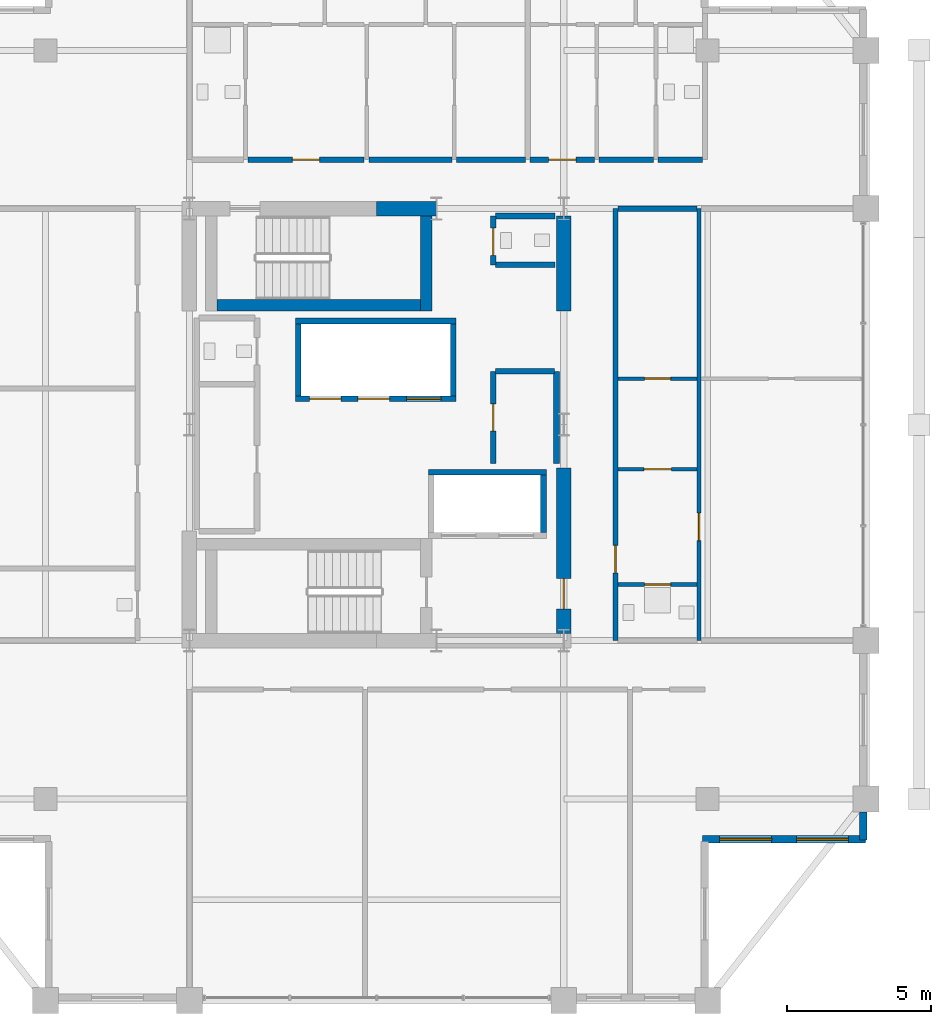
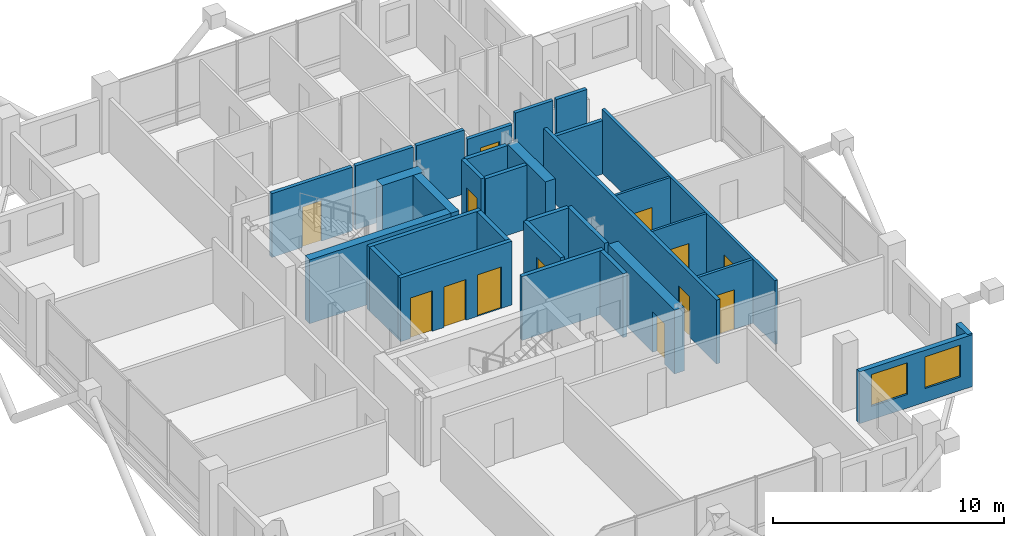
# One storey, part 19 of 23: 31 walls, 13 doors, 2 windows, 15 openings.
"""IFC4 building model written with IfcOpenShell, lengths in metres."""

from ifc_helpers import new_model, si_unit, direction, frame, frame_2d, origin, place, context, subcontext, project, spatial, rectangle, extrude, material, layer, layer_set, type_object, element, fill, save


model = new_model("IFC4")

# Units and contexts
model_context = context("Model", 3, precision=1e-05, world=origin(), true_north=direction((0.0, 1.0)))
body_context = subcontext(model_context, "Body", "Model", "MODEL_VIEW")
ifc_project = project(units=[si_unit("LENGTHUNIT", "METRE"), si_unit("AREAUNIT", "SQUARE_METRE"), si_unit("VOLUMEUNIT", "CUBIC_METRE"), si_unit("PLANEANGLEUNIT", "RADIAN"), si_unit("MASSUNIT", "GRAM", prefix="KILO")], contexts=[model_context])

# Site, building, storey
site_placement = place(None, origin())
site = spatial("IfcSite", under=ifc_project, at=site_placement, CompositionType="ELEMENT")
building_placement = place(site_placement, origin())
building = spatial("IfcBuilding", under=site, at=building_placement, Name="Barlavira Tower and Art Museum", CompositionType="ELEMENT")
storey_placement = place(building_placement, frame((0.0, 0.0, 279.89990234375)))
storey = spatial("IfcBuildingStorey", under=building, at=storey_placement, Name="L73", CompositionType="ELEMENT", Elevation=279.89990234375)

# Wall, opening, door
ifc_material_1 = material(Name="Gypsum acoustic stud partition", Category="gypsum")
ifc_layer_1 = layer(ifc_material_1, 0.1201171875, Name="Gypsum acoustic stud partition")
ifc_layer_set_1 = layer_set([ifc_layer_1], Name="Gypsum acoustic stud partition")
wall_type_1 = type_object("IfcWallType", Name="Apartment Internal Acoustic Partition 120", PredefinedType="PARTITIONING", material=ifc_layer_set_1)
wall_1_placement = place(storey_placement, frame((8.3798828125, -1.550048828125, 0.0), z_axis=(0.0, 0.0, 1.0), x_axis=(1.0, 0.0, 0.0)))
wall_1 = element("IfcWall", 1, at=wall_1_placement, inside=storey, type_object=wall_type_1, Name="L73 Partition Wall 32", PredefinedType="PARTITIONING", context=body_context, shape_type="SweptSolid", body=[
    extrude(rectangle(XDim=2.740234375, YDim=0.1201171875, at=frame_2d((1.3701171875, 0.0))), origin(), (0.0, 0.0, 1.0), 3.380126953125),
])
opening_1_placement = place(wall_1_placement, frame((0.905029296875, 0.0, 0.0)))
opening_1 = element("IfcOpeningElement", 2, at=opening_1_placement, cuts=wall_1, Name="Opening D-02", PredefinedType="OPENING", context=body_context, shape_type="SweptSolid", body=[
    extrude(rectangle(XDim=0.949951171875, YDim=2.10009765625, at=frame_2d((0.47509765625, 1.050048828125))), frame((0.0, 0.070068359375, 0.0), z_axis=(0.0, -1.0, 0.0), x_axis=(1.0, 0.0, 0.0)), (0.0, 0.0, 1.0), 0.14013671875),
])
ifc_material_2 = material(Name="Engineered coastal hardwood", Category="wood")
door_type_1 = type_object("IfcDoorType", Name="Living and Salon Glazed-Leaf Door 950x2100", OperationType="NOTDEFINED", PredefinedType="DOOR", material=ifc_material_2)
door_1_placement = place(opening_1_placement, origin())
door_1 = element("IfcDoor", 3, at=door_1_placement, inside=storey, type_object=door_type_1, Name="Apartment E1 Kitchen Door", OperationType="SINGLE_SWING_RIGHT", OverallHeight=2.10009765625, OverallWidth=0.949951171875, PredefinedType="DOOR", context=body_context, shape_type="SweptSolid", body=[
    extrude(rectangle(XDim=0.949951171875, YDim=2.10009765625, at=frame_2d((0.47509765625, 1.050048828125))), frame((0.0, 0.02490234375, 0.0), z_axis=(0.0, -1.0, 0.0), x_axis=(1.0, 0.0, 0.0)), (0.0, 0.0, 1.0), 0.050048828125),
])
fill(opening_1, door_1)

wall_2_placement = place(storey_placement, frame((8.3798828125, 1.60009765625, 0.0), z_axis=(0.0, 0.0, 1.0), x_axis=(1.0, 0.0, 0.0)))
wall_2 = element("IfcWall", 4, at=wall_2_placement, inside=storey, type_object=wall_type_1, Name="L73 Partition Wall 35", PredefinedType="PARTITIONING", context=body_context, shape_type="SweptSolid", body=[
    extrude(rectangle(XDim=2.740234375, YDim=0.1201171875, at=frame_2d((1.3701171875, 0.0))), origin(), (0.0, 0.0, 1.0), 3.380126953125),
])
opening_2_placement = place(wall_2_placement, frame((0.929931640625, 0.0, 0.0)))
opening_2 = element("IfcOpeningElement", 5, at=opening_2_placement, cuts=wall_2, Name="Opening D-01", PredefinedType="OPENING", context=body_context, shape_type="SweptSolid", body=[
    extrude(rectangle(XDim=0.89990234375, YDim=2.10009765625, at=frame_2d((0.449951171875, 1.050048828125))), frame((0.0, 0.070068359375, 0.0), z_axis=(0.0, -1.0, 0.0), x_axis=(1.0, 0.0, 0.0)), (0.0, 0.0, 1.0), 0.14013671875),
])
door_type_2 = type_object("IfcDoorType", Name="Internal Bedroom Timber Flush Door 900x2100", OperationType="NOTDEFINED", PredefinedType="DOOR", material=ifc_material_2)
door_2_placement = place(opening_2_placement, origin())
door_2 = element("IfcDoor", 6, at=door_2_placement, inside=storey, type_object=door_type_2, Name="Apartment E1 Walk-In Dressing Room Door", OperationType="SINGLE_SWING_LEFT", OverallHeight=2.10009765625, OverallWidth=0.89990234375, PredefinedType="DOOR", context=body_context, shape_type="SweptSolid", body=[
    extrude(rectangle(XDim=0.89990234375, YDim=2.10009765625, at=frame_2d((0.449951171875, 1.050048828125))), frame((0.0, 0.02490234375, 0.0), z_axis=(0.0, -1.0, 0.0), x_axis=(1.0, 0.0, 0.0)), (0.0, 0.0, 1.0), 0.050048828125),
])
fill(opening_2, door_2)

# Wall
ifc_material_3 = material(Name="Concrete C60", Category="concrete")
ifc_layer_2 = layer(ifc_material_3, 0.5, Name="Concrete C60")
ifc_layer_set_2 = layer_set([ifc_layer_2], Name="Concrete C60")
wall_type_2 = type_object("IfcWallType", Name="Core Structural Shear Wall 500 Concrete C60", PredefinedType="SHEAR", material=ifc_layer_set_2)
wall_3_placement = place(storey_placement, frame((0.0, 7.5, 0.0), z_axis=(0.0, 0.0, 1.0), x_axis=(1.0, 0.0, 0.0)))
element("IfcWall", 7, at=wall_3_placement, inside=storey, type_object=wall_type_2, Name="L73 Core Shear Wall CS-EN", PredefinedType="SHEAR", context=body_context, shape_type="SweptSolid", body=[
    extrude(rectangle(XDim=2.080078125, YDim=0.5, at=frame_2d((1.0400390625, 0.0))), origin(), (0.0, 0.0, 1.0), 3.380126953125),
])

# Wall, opening, door
wall_4_placement = place(storey_placement, frame((6.5, -7.25, 0.0), z_axis=(0.0, 0.0, 1.0), x_axis=(0.0, 1.0, 0.0)))
wall_4 = element("IfcWall", 8, at=wall_4_placement, inside=storey, type_object=wall_type_2, Name="L73 Core Shear Wall CS-E1", PredefinedType="SHEAR", context=body_context, shape_type="SweptSolid", body=[
    extrude(rectangle(XDim=5.75, YDim=0.5, at=frame_2d((2.875, 0.0))), origin(), (0.0, 0.0, 1.0), 3.380126953125),
])
opening_3_placement = place(wall_4_placement, frame((0.85009765625, 0.0, 0.0)))
opening_3 = element("IfcOpeningElement", 9, at=opening_3_placement, cuts=wall_4, Name="Opening FD-90", PredefinedType="OPENING", context=body_context, shape_type="SweptSolid", body=[
    extrude(rectangle(XDim=1.050048828125, YDim=2.14990234375, at=frame_2d((0.52490234375, 1.074951171875))), frame((0.0, 0.260009765625, 0.0), z_axis=(0.0, -1.0, 0.0), x_axis=(1.0, 0.0, 0.0)), (0.0, 0.0, 1.0), 0.52001953125),
])
ifc_material_4 = material(Name="Brushed stainless steel", Category="steel")
door_type_3 = type_object("IfcDoorType", Name="Stair and Refuge Fire Door 1050x2150 FD90S", OperationType="NOTDEFINED", PredefinedType="DOOR", material=ifc_material_4)
door_3_placement = place(opening_3_placement, origin())
door_3 = element("IfcDoor", 10, at=door_3_placement, inside=storey, type_object=door_type_3, Name="L73 Firefighting Lobby Entry Fire Door", OperationType="SINGLE_SWING_LEFT", OverallHeight=2.14990234375, OverallWidth=1.050048828125, PredefinedType="DOOR", context=body_context, shape_type="SweptSolid", body=[
    extrude(rectangle(XDim=1.050048828125, YDim=2.14990234375, at=frame_2d((0.52490234375, 1.074951171875))), frame((0.0, 0.02490234375, 0.0), z_axis=(0.0, -1.0, 0.0), x_axis=(1.0, 0.0, 0.0)), (0.0, 0.0, 1.0), 0.050048828125),
])
fill(opening_3, door_3)

# Wall
wall_5_placement = place(storey_placement, frame((6.5, 3.949951171875, 0.0), z_axis=(0.0, 0.0, 1.0), x_axis=(0.0, 1.0, 0.0)))
element("IfcWall", 11, at=wall_5_placement, inside=storey, type_object=wall_type_2, Name="L73 Core Shear Wall CS-E2", PredefinedType="SHEAR", context=body_context, shape_type="SweptSolid", body=[
    extrude(rectangle(XDim=3.300048828125, YDim=0.5, at=frame_2d((1.64990234375, 0.0))), origin(), (0.0, 0.0, 1.0), 3.380126953125),
])

# Wall, openings, doors
ifc_material_5 = material(Name="Autoclaved aerated concrete masonry", Category="masonry")
ifc_layer_3 = layer(ifc_material_5, 0.199951171875, Name="Autoclaved aerated concrete masonry")
ifc_layer_set_3 = layer_set([ifc_layer_3], Name="Autoclaved aerated concrete masonry")
wall_type_3 = type_object("IfcWallType", Name="Fire Compartment and Shaft Wall 200", PredefinedType="SOLIDWALL", material=ifc_layer_set_3)
wall_6_placement = place(storey_placement, frame((-2.820068359375, 0.89990234375, 0.0), z_axis=(0.0, 0.0, 1.0), x_axis=(1.0, 0.0, 0.0)))
wall_6 = element("IfcWall", 12, at=wall_6_placement, inside=storey, type_object=wall_type_3, Name="L73 High-Rise & Service Lift Front Wall", PredefinedType="SOLIDWALL", context=body_context, shape_type="SweptSolid", body=[
    extrude(rectangle(XDim=5.580078125, YDim=0.199951171875, at=frame_2d((2.7900390625, 0.0))), origin(), (0.0, 0.0, 1.0), 3.380126953125),
])
opening_4_placement = place(wall_6_placement, frame((0.489990234375, 0.0, 0.0)))
opening_4 = element("IfcOpeningElement", 13, at=opening_4_placement, cuts=wall_6, Name="Opening LD-P", PredefinedType="OPENING", context=body_context, shape_type="SweptSolid", body=[
    extrude(rectangle(XDim=1.10009765625, YDim=2.14990234375, at=frame_2d((0.550048828125, 1.074951171875))), frame((0.0, 0.10986328125, 0.0), z_axis=(0.0, -1.0, 0.0), x_axis=(1.0, 0.0, 0.0)), (0.0, 0.0, 1.0), 0.219970703125),
])
opening_5_placement = place(wall_6_placement, frame((2.169921875, 0.0, 0.0)))
opening_5 = element("IfcOpeningElement", 14, at=opening_5_placement, cuts=wall_6, Name="Opening LD-P", PredefinedType="OPENING", context=body_context, shape_type="SweptSolid", body=[
    extrude(rectangle(XDim=1.10009765625, YDim=2.14990234375, at=frame_2d((0.550048828125, 1.074951171875))), frame((0.0, 0.10986328125, 0.0), z_axis=(0.0, -1.0, 0.0), x_axis=(1.0, 0.0, 0.0)), (0.0, 0.0, 1.0), 0.219970703125),
])
opening_6_placement = place(wall_6_placement, frame((3.860107421875, 0.0, 0.0)))
opening_6 = element("IfcOpeningElement", 15, at=opening_6_placement, cuts=wall_6, Name="Opening LD-F", PredefinedType="OPENING", context=body_context, shape_type="SweptSolid", body=[
    extrude(rectangle(XDim=1.199951171875, YDim=2.199951171875, at=frame_2d((0.60009765625, 1.10009765625))), frame((0.0, 0.10986328125, 0.0), z_axis=(0.0, -1.0, 0.0), x_axis=(1.0, 0.0, 0.0)), (0.0, 0.0, 1.0), 0.219970703125),
])
door_type_4 = type_object("IfcDoorType", Name="Firefighting and Service Lift Sliding Door 1200x2200 FD120", OperationType="NOTDEFINED", PredefinedType="DOOR", material=ifc_material_4)
door_4_placement = place(opening_6_placement, origin())
door_4 = element("IfcDoor", 16, at=door_4_placement, inside=storey, type_object=door_type_4, Name="L73 Stretcher Service Lift SL1 Sliding Door", OperationType="DOUBLE_DOOR_SLIDING", OverallHeight=2.199951171875, OverallWidth=1.199951171875, PredefinedType="DOOR", context=body_context, shape_type="SweptSolid", body=[
    extrude(rectangle(XDim=1.199951171875, YDim=2.199951171875, at=frame_2d((0.60009765625, 1.10009765625))), frame((0.0, 0.02490234375, 0.0), z_axis=(0.0, -1.0, 0.0), x_axis=(1.0, 0.0, 0.0)), (0.0, 0.0, 1.0), 0.050048828125),
])
fill(opening_6, door_4)
door_type_5 = type_object("IfcDoorType", Name="Passenger Lift Sliding Landing Door 1100x2150 FD60", OperationType="NOTDEFINED", PredefinedType="DOOR", material=ifc_material_4)
door_5_placement = place(opening_4_placement, origin())
door_5 = element("IfcDoor", 17, at=door_5_placement, inside=storey, type_object=door_type_5, Name="L73 Lift PH1 Sliding Landing Door", OperationType="DOUBLE_DOOR_SLIDING", OverallHeight=2.14990234375, OverallWidth=1.10009765625, PredefinedType="DOOR", context=body_context, shape_type="SweptSolid", body=[
    extrude(rectangle(XDim=1.10009765625, YDim=2.14990234375, at=frame_2d((0.550048828125, 1.074951171875))), frame((0.0, 0.02490234375, 0.0), z_axis=(0.0, -1.0, 0.0), x_axis=(1.0, 0.0, 0.0)), (0.0, 0.0, 1.0), 0.050048828125),
])
fill(opening_4, door_5)
door_6_placement = place(opening_5_placement, origin())
door_6 = element("IfcDoor", 18, at=door_6_placement, inside=storey, type_object=door_type_5, Name="L73 Lift PH2 Sliding Landing Door", OperationType="DOUBLE_DOOR_SLIDING", OverallHeight=2.14990234375, OverallWidth=1.10009765625, PredefinedType="DOOR", context=body_context, shape_type="SweptSolid", body=[
    extrude(rectangle(XDim=1.10009765625, YDim=2.14990234375, at=frame_2d((0.550048828125, 1.074951171875))), frame((0.0, 0.02490234375, 0.0), z_axis=(0.0, -1.0, 0.0), x_axis=(1.0, 0.0, 0.0)), (0.0, 0.0, 1.0), 0.050048828125),
])
fill(opening_5, door_6)

# Walls
wall_7_placement = place(storey_placement, frame((-2.820068359375, 3.60009765625, 0.0), z_axis=(0.0, 0.0, 1.0), x_axis=(1.0, 0.0, 0.0)))
element("IfcWall", 19, at=wall_7_placement, inside=storey, type_object=wall_type_3, Name="L73 High-Rise & Service Lift Back Wall", PredefinedType="SOLIDWALL", context=body_context, shape_type="SweptSolid", body=[
    extrude(rectangle(XDim=5.580078125, YDim=0.199951171875, at=frame_2d((2.7900390625, 0.0))), origin(), (0.0, 0.0, 1.0), 3.380126953125),
])
for number, where, z_axis, x_axis, name in (
    (20, (-2.719970703125, 1.0, 0.0), (0.0, 0.0, 1.0), (0.0, 1.0, 0.0), "L73 High-Rise & Service Lift West Wall"),
    (21, (2.659912109375, 1.0, 0.0), (0.0, 0.0, 1.0), (0.0, 1.0, 0.0), "L73 High-Rise & Service Lift East Wall"),
):
    element("IfcWall", number, at=place(storey_placement, frame(where, z_axis=z_axis, x_axis=x_axis)), inside=storey, type_object=wall_type_3, Name=name, PredefinedType="SOLIDWALL", context=body_context, shape_type="SweptSolid", body=[
        extrude(rectangle(XDim=2.5, YDim=0.199951171875, at=frame_2d((1.25, 0.0))), origin(), (0.0, 0.0, 1.0), 3.380126953125),
    ])
wall_8_placement = place(storey_placement, frame((1.800048828125, -1.64990234375, 0.0), z_axis=(0.0, 0.0, 1.0), x_axis=(1.0, 0.0, 0.0)))
element("IfcWall", 22, at=wall_8_placement, inside=storey, type_object=wall_type_3, Name="L73 Firefighting Lift Back Shaft Wall", PredefinedType="SOLIDWALL", context=body_context, shape_type="SweptSolid", body=[
    extrude(rectangle(XDim=4.099853515625, YDim=0.199951171875, at=frame_2d((2.0498046875, 0.0))), origin(), (0.0, 0.0, 1.0), 3.380126953125),
])
wall_9_placement = place(storey_placement, frame((5.800048828125, -3.75, 0.0), z_axis=(0.0, 0.0, 1.0), x_axis=(0.0, 1.0, 0.0)))
element("IfcWall", 23, at=wall_9_placement, inside=storey, type_object=wall_type_3, Name="L73 Firefighting Lift East Shaft Wall", PredefinedType="SOLIDWALL", context=body_context, shape_type="SweptSolid", body=[
    extrude(rectangle(XDim=2.0, YDim=0.199951171875, at=frame_2d((1.0, 0.0))), origin(), (0.0, 0.0, 1.0), 3.380126953125),
])

# Wall, opening, door
wall_10_placement = place(storey_placement, frame((4.050048828125, -1.35009765625, 0.0), z_axis=(0.0, 0.0, 1.0), x_axis=(0.0, 1.0, 0.0)))
wall_10 = element("IfcWall", 24, at=wall_10_placement, inside=storey, type_object=wall_type_3, Name="L73 Partition Wall 12", PredefinedType="SOLIDWALL", context=body_context, shape_type="SweptSolid", body=[
    extrude(rectangle(XDim=3.2001953125, YDim=0.199951171875, at=frame_2d((1.60009765625, 0.0))), origin(), (0.0, 0.0, 1.0), 3.380126953125),
])
opening_7_placement = place(wall_10_placement, frame((1.125, 0.0, 0.0)))
opening_7 = element("IfcOpeningElement", 25, at=opening_7_placement, cuts=wall_10, Name="Opening FD-60", PredefinedType="OPENING", context=body_context, shape_type="SweptSolid", body=[
    extrude(rectangle(XDim=0.949951171875, YDim=2.14990234375, at=frame_2d((0.47509765625, 1.074951171875))), frame((0.0, 0.10986328125, 0.0), z_axis=(0.0, -1.0, 0.0), x_axis=(1.0, 0.0, 0.0)), (0.0, 0.0, 1.0), 0.219970703125),
])
door_type_6 = type_object("IfcDoorType", Name="Apartment Entrance and Riser Fire Door 950x2150 FD60S", OperationType="NOTDEFINED", PredefinedType="DOOR", material=ifc_material_4)
door_7_placement = place(opening_7_placement, origin())
door_7 = element("IfcDoor", 26, at=door_7_placement, inside=storey, type_object=door_type_6, Name="Reclaimed Upper Core Valet Store Door", OperationType="SINGLE_SWING_RIGHT", OverallHeight=2.14990234375, OverallWidth=0.949951171875, PredefinedType="DOOR", context=body_context, shape_type="SweptSolid", body=[
    extrude(rectangle(XDim=0.949951171875, YDim=2.14990234375, at=frame_2d((0.47509765625, 1.074951171875))), frame((0.0, 0.02490234375, 0.0), z_axis=(0.0, -1.0, 0.0), x_axis=(1.0, 0.0, 0.0)), (0.0, 0.0, 1.0), 0.050048828125),
])
fill(opening_7, door_7)

wall_11_placement = place(storey_placement, frame((4.050048828125, 5.550048828125, 0.0), z_axis=(0.0, 0.0, 1.0), x_axis=(0.0, 1.0, 0.0)))
wall_11 = element("IfcWall", 27, at=wall_11_placement, inside=storey, type_object=wall_type_3, Name="L73 Partition Wall 13", PredefinedType="SOLIDWALL", context=body_context, shape_type="SweptSolid", body=[
    extrude(rectangle(XDim=1.699951171875, YDim=0.199951171875, at=frame_2d((0.85009765625, 0.0))), origin(), (0.0, 0.0, 1.0), 3.380126953125),
])
opening_8_placement = place(wall_11_placement, frame((0.324951171875, 0.0, 0.0)))
opening_8 = element("IfcOpeningElement", 28, at=opening_8_placement, cuts=wall_11, Name="Opening FD-60", PredefinedType="OPENING", context=body_context, shape_type="SweptSolid", body=[
    extrude(rectangle(XDim=0.949951171875, YDim=2.14990234375, at=frame_2d((0.47509765625, 1.074951171875))), frame((0.0, 0.10986328125, 0.0), z_axis=(0.0, -1.0, 0.0), x_axis=(1.0, 0.0, 0.0)), (0.0, 0.0, 1.0), 0.219970703125),
])
door_8_placement = place(opening_8_placement, origin())
door_8 = element("IfcDoor", 29, at=door_8_placement, inside=storey, type_object=door_type_6, Name="Core Accessible Washroom Door", OperationType="SINGLE_SWING_LEFT", OverallHeight=2.14990234375, OverallWidth=0.949951171875, PredefinedType="DOOR", context=body_context, shape_type="SweptSolid", body=[
    extrude(rectangle(XDim=0.949951171875, YDim=2.14990234375, at=frame_2d((0.47509765625, 1.074951171875))), frame((0.0, 0.02490234375, 0.0), z_axis=(0.0, -1.0, 0.0), x_axis=(1.0, 0.0, 0.0)), (0.0, 0.0, 1.0), 0.050048828125),
])
fill(opening_8, door_8)

# Walls
wall_12_placement = place(storey_placement, frame((6.25, -1.35009765625, 0.0), z_axis=(0.0, 0.0, 1.0), x_axis=(0.0, 1.0, 0.0)))
element("IfcWall", 30, at=wall_12_placement, inside=storey, type_object=wall_type_3, Name="L73 Partition Wall 15", PredefinedType="SOLIDWALL", context=body_context, shape_type="SweptSolid", body=[
    extrude(rectangle(XDim=3.2001953125, YDim=0.199951171875, at=frame_2d((1.60009765625, 0.0))), origin(), (0.0, 0.0, 1.0), 3.380126953125),
])
wall_13_placement = place(storey_placement, frame((4.1298828125, 1.85009765625, 0.0), z_axis=(0.0, 0.0, 1.0), x_axis=(1.0, 0.0, 0.0)))
element("IfcWall", 31, at=wall_13_placement, inside=storey, type_object=wall_type_3, Name="L73 Partition Wall 37", PredefinedType="SOLIDWALL", context=body_context, shape_type="SweptSolid", body=[
    extrude(rectangle(XDim=2.0400390625, YDim=0.199951171875, at=frame_2d((1.02001953125, 0.0))), origin(), (0.0, 0.0, 1.0), 3.380126953125),
])
for number, where, z_axis, x_axis, name in (
    (32, (4.1298828125, 5.550048828125, 0.0), (0.0, 0.0, 1.0), (1.0, 0.0, 0.0), "L73 Partition Wall 39"),
    (33, (4.1298828125, 7.25, 0.0), (0.0, 0.0, 1.0), (1.0, 0.0, 0.0), "L73 Partition Wall 40"),
):
    element("IfcWall", number, at=place(storey_placement, frame(where, z_axis=z_axis, x_axis=x_axis)), inside=storey, type_object=wall_type_3, Name=name, PredefinedType="SOLIDWALL", context=body_context, shape_type="SweptSolid", body=[
        extrude(rectangle(XDim=2.070068359375, YDim=0.199951171875, at=frame_2d((1.03515625, 0.0))), origin(), (0.0, 0.0, 1.0), 3.380126953125),
    ])

# Wall, opening, door
ifc_layer_4 = layer(ifc_material_1, 0.179931640625, Name="Gypsum acoustic stud partition")
ifc_layer_set_4 = layer_set([ifc_layer_4], Name="Gypsum acoustic stud partition")
wall_type_4 = type_object("IfcWallType", Name="Inter-Tenancy Party Partition Wall 180", PredefinedType="PARTITIONING", material=ifc_layer_set_4)
wall_14_placement = place(storey_placement, frame((8.300048828125, -7.5, 0.0), z_axis=(0.0, 0.0, 1.0), x_axis=(0.0, 1.0, 0.0)))
wall_14 = element("IfcWall", 34, at=wall_14_placement, inside=storey, type_object=wall_type_4, Name="L73 Partition Wall 17", PredefinedType="PARTITIONING", context=body_context, shape_type="SweptSolid", body=[
    extrude(rectangle(XDim=15.0, YDim=0.179931640625, at=frame_2d((7.5, 0.0))), origin(), (0.0, 0.0, 1.0), 3.380126953125),
])
opening_9_placement = place(wall_14_placement, frame((2.35498046875, 0.0, 0.0)))
opening_9 = element("IfcOpeningElement", 35, at=opening_9_placement, cuts=wall_14, Name="Opening FD-60", PredefinedType="OPENING", context=body_context, shape_type="SweptSolid", body=[
    extrude(rectangle(XDim=0.949951171875, YDim=2.14990234375, at=frame_2d((0.47509765625, 1.074951171875))), frame((0.0, 0.10009765625, 0.0), z_axis=(0.0, -1.0, 0.0), x_axis=(1.0, 0.0, 0.0)), (0.0, 0.0, 1.0), 0.199951171875),
])
door_9_placement = place(opening_9_placement, origin())
door_9 = element("IfcDoor", 36, at=door_9_placement, inside=storey, type_object=door_type_6, Name="Apartment Entrance Hall E1 Door", OperationType="SINGLE_SWING_LEFT", OverallHeight=2.14990234375, OverallWidth=0.949951171875, PredefinedType="DOOR", context=body_context, shape_type="SweptSolid", body=[
    extrude(rectangle(XDim=0.949951171875, YDim=2.14990234375, at=frame_2d((0.47509765625, 1.074951171875))), frame((0.0, 0.02490234375, 0.0), z_axis=(0.0, -1.0, 0.0), x_axis=(1.0, 0.0, 0.0)), (0.0, 0.0, 1.0), 0.050048828125),
])
fill(opening_9, door_9)

# Wall
wall_15_placement = place(storey_placement, frame((8.3798828125, 7.5, 0.0), z_axis=(0.0, 0.0, 1.0), x_axis=(1.0, 0.0, 0.0)))
element("IfcWall", 37, at=wall_15_placement, inside=storey, type_object=wall_type_4, Name="L73 Partition Wall 42", PredefinedType="PARTITIONING", context=body_context, shape_type="SweptSolid", body=[
    extrude(rectangle(XDim=2.740234375, YDim=0.179931640625, at=frame_2d((1.3701171875, 0.0))), origin(), (0.0, 0.0, 1.0), 2.826171875),
])

# Wall, opening, door
wall_16_placement = place(storey_placement, frame((-4.469970703125, 9.199951171875, 0.0), z_axis=(0.0, 0.0, 1.0), x_axis=(1.0, 0.0, 0.0)))
wall_16 = element("IfcWall", 38, at=wall_16_placement, inside=storey, type_object=wall_type_4, Name="L73 Partition Wall 45", PredefinedType="PARTITIONING", context=body_context, shape_type="SweptSolid", body=[
    extrude(rectangle(XDim=4.0400390625, YDim=0.179931640625, at=frame_2d((2.02001953125, 0.0))), origin(), (0.0, 0.0, 1.0), 3.380126953125),
])
opening_10_placement = place(wall_16_placement, frame((1.544921875, 0.0, 0.0)))
opening_10 = element("IfcOpeningElement", 39, at=opening_10_placement, cuts=wall_16, Name="Opening FD-60", PredefinedType="OPENING", context=body_context, shape_type="SweptSolid", body=[
    extrude(rectangle(XDim=0.949951171875, YDim=2.14990234375, at=frame_2d((0.47509765625, 1.074951171875))), frame((0.0, 0.10009765625, 0.0), z_axis=(0.0, -1.0, 0.0), x_axis=(1.0, 0.0, 0.0)), (0.0, 0.0, 1.0), 0.199951171875),
])
door_10_placement = place(opening_10_placement, origin())
door_10 = element("IfcDoor", 40, at=door_10_placement, inside=storey, type_object=door_type_6, Name="Apartment Entrance Hall N1 Door", OperationType="SINGLE_SWING_RIGHT", OverallHeight=2.14990234375, OverallWidth=0.949951171875, PredefinedType="DOOR", context=body_context, shape_type="SweptSolid", body=[
    extrude(rectangle(XDim=0.949951171875, YDim=2.14990234375, at=frame_2d((0.47509765625, 1.074951171875))), frame((0.0, 0.02490234375, 0.0), z_axis=(0.0, -1.0, 0.0), x_axis=(1.0, 0.0, 0.0)), (0.0, 0.0, 1.0), 0.050048828125),
])
fill(opening_10, door_10)

# Walls
wall_17_placement = place(storey_placement, frame((-0.27001953125, 9.199951171875, 0.0), z_axis=(0.0, 0.0, 1.0), x_axis=(1.0, 0.0, 0.0)))
element("IfcWall", 41, at=wall_17_placement, inside=storey, type_object=wall_type_4, Name="L73 Partition Wall 46", PredefinedType="PARTITIONING", context=body_context, shape_type="SweptSolid", body=[
    extrude(rectangle(XDim=2.89013671875, YDim=0.179931640625, at=frame_2d((1.445068359375, 0.0))), origin(), (0.0, 0.0, 1.0), 3.380126953125),
])
wall_18_placement = place(storey_placement, frame((2.780029296875, 9.199951171875, 0.0), z_axis=(0.0, 0.0, 1.0), x_axis=(1.0, 0.0, 0.0)))
element("IfcWall", 42, at=wall_18_placement, inside=storey, type_object=wall_type_4, Name="L73 Partition Wall 47", PredefinedType="PARTITIONING", context=body_context, shape_type="SweptSolid", body=[
    extrude(rectangle(XDim=2.389892578125, YDim=0.179931640625, at=frame_2d((1.19482421875, 0.0))), origin(), (0.0, 0.0, 1.0), 3.380126953125),
])

# Wall, opening, door
wall_19_placement = place(storey_placement, frame((5.330078125, 9.199951171875, 0.0), z_axis=(0.0, 0.0, 1.0), x_axis=(1.0, 0.0, 0.0)))
wall_19 = element("IfcWall", 43, at=wall_19_placement, inside=storey, type_object=wall_type_4, Name="L73 Partition Wall 48", PredefinedType="PARTITIONING", context=body_context, shape_type="SweptSolid", body=[
    extrude(rectangle(XDim=2.239990234375, YDim=0.179931640625, at=frame_2d((1.1201171875, 0.0))), origin(), (0.0, 0.0, 1.0), 2.826171875),
])
opening_11_placement = place(wall_19_placement, frame((0.64501953125, 0.0, 0.0)))
opening_11 = element("IfcOpeningElement", 44, at=opening_11_placement, cuts=wall_19, Name="Opening FD-60", PredefinedType="OPENING", context=body_context, shape_type="SweptSolid", body=[
    extrude(rectangle(XDim=0.949951171875, YDim=2.14990234375, at=frame_2d((0.47509765625, 1.074951171875))), frame((0.0, 0.10009765625, 0.0), z_axis=(0.0, -1.0, 0.0), x_axis=(1.0, 0.0, 0.0)), (0.0, 0.0, 1.0), 0.199951171875),
])
door_11_placement = place(opening_11_placement, origin())
door_11 = element("IfcDoor", 45, at=door_11_placement, inside=storey, type_object=door_type_6, Name="Apartment Entrance Hall N2 Door", OperationType="SINGLE_SWING_RIGHT", OverallHeight=2.14990234375, OverallWidth=0.949951171875, PredefinedType="DOOR", context=body_context, shape_type="SweptSolid", body=[
    extrude(rectangle(XDim=0.949951171875, YDim=2.14990234375, at=frame_2d((0.47509765625, 1.074951171875))), frame((0.0, 0.02490234375, 0.0), z_axis=(0.0, -1.0, 0.0), x_axis=(1.0, 0.0, 0.0)), (0.0, 0.0, 1.0), 0.050048828125),
])
fill(opening_11, door_11)

# Walls
wall_20_placement = place(storey_placement, frame((7.72998046875, 9.199951171875, 0.0), z_axis=(0.0, 0.0, 1.0), x_axis=(1.0, 0.0, 0.0)))
element("IfcWall", 46, at=wall_20_placement, inside=storey, type_object=wall_type_4, Name="L73 Partition Wall 49", PredefinedType="PARTITIONING", context=body_context, shape_type="SweptSolid", body=[
    extrude(rectangle(XDim=1.89013671875, YDim=0.179931640625, at=frame_2d((0.945068359375, 0.0))), origin(), (0.0, 0.0, 1.0), 3.380126953125),
])
wall_21_placement = place(storey_placement, frame((9.780029296875, 9.199951171875, 0.0), z_axis=(0.0, 0.0, 1.0), x_axis=(1.0, 0.0, 0.0)))
element("IfcWall", 47, at=wall_21_placement, inside=storey, type_object=wall_type_4, Name="L73 Partition Wall 50", PredefinedType="PARTITIONING", context=body_context, shape_type="SweptSolid", body=[
    extrude(rectangle(XDim=1.5400390625, YDim=0.179931640625, at=frame_2d((0.77001953125, 0.0))), origin(), (0.0, 0.0, 1.0), 3.380126953125),
])

# Wall, opening, door
ifc_layer_5 = layer(ifc_material_1, 0.139892578125, Name="Gypsum acoustic stud partition")
ifc_layer_set_5 = layer_set([ifc_layer_5], Name="Gypsum acoustic stud partition")
wall_type_5 = type_object("IfcWallType", Name="Moisture-Resistant Bathroom Partition 140", PredefinedType="PARTITIONING", material=ifc_layer_set_5)
wall_22_placement = place(storey_placement, frame((11.199951171875, -7.5, 0.0), z_axis=(0.0, 0.0, 1.0), x_axis=(0.0, 1.0, 0.0)))
wall_22 = element("IfcWall", 48, at=wall_22_placement, inside=storey, type_object=wall_type_5, Name="L73 Partition Wall 21", PredefinedType="PARTITIONING", context=body_context, shape_type="SweptSolid", body=[
    extrude(rectangle(XDim=15.0, YDim=0.139892578125, at=frame_2d((7.5, 0.0))), origin(), (0.0, 0.0, 1.0), 3.380126953125),
])
opening_12_placement = place(wall_22_placement, frame((3.47509765625, 0.0, 0.0)))
opening_12 = element("IfcOpeningElement", 49, at=opening_12_placement, cuts=wall_22, Name="Opening D-02", PredefinedType="OPENING", context=body_context, shape_type="SweptSolid", body=[
    extrude(rectangle(XDim=0.949951171875, YDim=2.10009765625, at=frame_2d((0.47509765625, 1.050048828125))), frame((0.0, 0.080078125, 0.0), z_axis=(0.0, -1.0, 0.0), x_axis=(1.0, 0.0, 0.0)), (0.0, 0.0, 1.0), 0.159912109375),
])
door_12_placement = place(opening_12_placement, origin())
door_12 = element("IfcDoor", 50, at=door_12_placement, inside=storey, type_object=door_type_1, Name="Apartment E1 Living Lounge Door", OperationType="SINGLE_SWING_RIGHT", OverallHeight=2.10009765625, OverallWidth=0.949951171875, PredefinedType="DOOR", context=body_context, shape_type="SweptSolid", body=[
    extrude(rectangle(XDim=0.949951171875, YDim=2.10009765625, at=frame_2d((0.47509765625, 1.050048828125))), frame((0.0, 0.02490234375, 0.0), z_axis=(0.0, -1.0, 0.0), x_axis=(1.0, 0.0, 0.0)), (0.0, 0.0, 1.0), 0.050048828125),
])
fill(opening_12, door_12)

wall_23_placement = place(storey_placement, frame((8.3798828125, -5.550048828125, 0.0), z_axis=(0.0, 0.0, 1.0), x_axis=(1.0, 0.0, 0.0)))
wall_23 = element("IfcWall", 51, at=wall_23_placement, inside=storey, type_object=wall_type_5, Name="L73 Partition Wall 29", PredefinedType="PARTITIONING", context=body_context, shape_type="SweptSolid", body=[
    extrude(rectangle(XDim=2.740234375, YDim=0.139892578125, at=frame_2d((1.3701171875, 0.0))), origin(), (0.0, 0.0, 1.0), 3.380126953125),
])
opening_13_placement = place(wall_23_placement, frame((0.929931640625, 0.0, 0.0)))
opening_13 = element("IfcOpeningElement", 52, at=opening_13_placement, cuts=wall_23, Name="Opening D-WC", PredefinedType="OPENING", context=body_context, shape_type="SweptSolid", body=[
    extrude(rectangle(XDim=0.89990234375, YDim=2.10009765625, at=frame_2d((0.449951171875, 1.050048828125))), frame((0.0, 0.080078125, 0.0), z_axis=(0.0, -1.0, 0.0), x_axis=(1.0, 0.0, 0.0)), (0.0, 0.0, 1.0), 0.159912109375),
])
door_type_7 = type_object("IfcDoorType", Name="Accessible Bathroom Flush Door 900x2100", OperationType="NOTDEFINED", PredefinedType="DOOR", material=ifc_material_2)
door_13_placement = place(opening_13_placement, origin())
door_13 = element("IfcDoor", 53, at=door_13_placement, inside=storey, type_object=door_type_7, Name="Apartment E1 Hall Bathroom Door", OperationType="SINGLE_SWING_RIGHT", OverallHeight=2.10009765625, OverallWidth=0.89990234375, PredefinedType="DOOR", context=body_context, shape_type="SweptSolid", body=[
    extrude(rectangle(XDim=0.89990234375, YDim=2.10009765625, at=frame_2d((0.449951171875, 1.050048828125))), frame((0.0, 0.02490234375, 0.0), z_axis=(0.0, -1.0, 0.0), x_axis=(1.0, 0.0, 0.0)), (0.0, 0.0, 1.0), 0.050048828125),
])
fill(opening_13, door_13)

# Wall
ifc_material_6 = material(Name="Precast concrete C40", Category="concrete")
ifc_layer_6 = layer(ifc_material_6, 0.25, Name="Precast concrete C40")
ifc_layer_set_6 = layer_set([ifc_layer_6], Name="Precast concrete C40")
wall_type_6 = type_object("IfcWallType", Name="Notched Corner Spandrel Wall 250 Precast Concrete C40", PredefinedType="SOLIDWALL", material=ifc_layer_set_6)
wall_24_placement = place(storey_placement, frame((16.89990234375, -14.425048828125, 0.0), z_axis=(0.0, 0.0, 1.0), x_axis=(0.0, 1.0, 0.0)))
element("IfcWall", 54, at=wall_24_placement, inside=storey, type_object=wall_type_6, Name="L73 Coastal Facade Pier Wall CW4-L73-E-1", PredefinedType="SOLIDWALL", context=body_context, shape_type="SweptSolid", body=[
    extrude(rectangle(XDim=0.97998046875, YDim=0.25, at=frame_2d((0.489990234375, 0.0))), origin(), (0.0, 0.0, 1.0), 2.748046875),
])

# Wall, openings, windows
wall_25_placement = place(storey_placement, frame((11.320068359375, -14.39990234375, 0.0), z_axis=(0.0, 0.0, 1.0), x_axis=(1.0, 0.0, 0.0)))
wall_25 = element("IfcWall", 55, at=wall_25_placement, inside=storey, type_object=wall_type_6, Name="L73 Notch Corner Wall SE2", PredefinedType="SOLIDWALL", context=body_context, shape_type="SweptSolid", body=[
    extrude(rectangle(XDim=5.659912109375, YDim=0.25, at=frame_2d((2.830078125, 0.0))), origin(), (0.0, 0.0, 1.0), 2.748046875),
])
opening_14_placement = place(wall_25_placement, frame((0.594970703125, 0.0, 0.719970703125)))
opening_14 = element("IfcOpeningElement", 56, at=opening_14_placement, cuts=wall_25, Name="Opening WN-01", PredefinedType="OPENING", context=body_context, shape_type="SweptSolid", body=[
    extrude(rectangle(XDim=1.800048828125, YDim=1.679931640625, at=frame_2d((0.89990234375, 0.83984375))), frame((0.0, 0.135009765625, 0.0), z_axis=(0.0, -1.0, 0.0), x_axis=(1.0, 0.0, 0.0)), (0.0, 0.0, 1.0), 0.27001953125),
])
opening_15_placement = place(wall_25_placement, frame((3.264892578125, 0.0, 0.719970703125)))
opening_15 = element("IfcOpeningElement", 57, at=opening_15_placement, cuts=wall_25, Name="Opening WN-01", PredefinedType="OPENING", context=body_context, shape_type="SweptSolid", body=[
    extrude(rectangle(XDim=1.800048828125, YDim=1.679931640625, at=frame_2d((0.89990234375, 0.83984375))), frame((0.0, 0.135009765625, 0.0), z_axis=(0.0, -1.0, 0.0), x_axis=(1.0, 0.0, 0.0)), (0.0, 0.0, 1.0), 0.27001953125),
])
ifc_material_7 = material(Name="Low-iron coastal laminated glass", Category="glass")
window_type = type_object("IfcWindowType", Name="Recessed Notch Corner Punch Window 1800x1680", PartitioningType="SINGLE_PANEL", PredefinedType="WINDOW", material=ifc_material_7)
window_1_placement = place(opening_14_placement, origin())
window_1 = element("IfcWindow", 58, at=window_1_placement, inside=storey, type_object=window_type, Name="L73 Punched Facade Window EW-NTC-L73-SE2-1", OverallHeight=1.679931640625, OverallWidth=1.800048828125, PartitioningType="SINGLE_PANEL", PredefinedType="WINDOW", context=body_context, shape_type="SweptSolid", body=[
    extrude(rectangle(XDim=1.800048828125, YDim=1.679931640625, at=frame_2d((0.89990234375, 0.83984375))), frame((0.0, 0.030029296875, 0.0), z_axis=(0.0, -1.0, 0.0), x_axis=(1.0, 0.0, 0.0)), (0.0, 0.0, 1.0), 0.06005859375),
])
fill(opening_14, window_1)
window_2_placement = place(opening_15_placement, origin())
window_2 = element("IfcWindow", 59, at=window_2_placement, inside=storey, type_object=window_type, Name="L73 Punched Facade Window EW-NTC-L73-SE2-2", OverallHeight=1.679931640625, OverallWidth=1.800048828125, PartitioningType="SINGLE_PANEL", PredefinedType="WINDOW", context=body_context, shape_type="SweptSolid", body=[
    extrude(rectangle(XDim=1.800048828125, YDim=1.679931640625, at=frame_2d((0.89990234375, 0.83984375))), frame((0.0, 0.030029296875, 0.0), z_axis=(0.0, -1.0, 0.0), x_axis=(1.0, 0.0, 0.0)), (0.0, 0.0, 1.0), 0.06005859375),
])
fill(opening_15, window_2)

# Walls
ifc_material_8 = material(Name="Concrete C55", Category="concrete")
ifc_layer_7 = layer(ifc_material_8, 0.39990234375, Name="Concrete C55")
ifc_layer_set_7 = layer_set([ifc_layer_7], Name="Concrete C55")
wall_type_7 = type_object("IfcWallType", Name="Upper Core Shear Wall 400 Concrete C55", PredefinedType="SHEAR", material=ifc_layer_set_7)
wall_26_placement = place(storey_placement, frame((-5.550048828125, 4.14990234375, 0.0), z_axis=(0.0, 0.0, 1.0), x_axis=(1.0, 0.0, 0.0)))
element("IfcWall", 60, at=wall_26_placement, inside=storey, type_object=wall_type_7, Name="L73 ST-T2 South Shaft Wall", PredefinedType="SHEAR", context=body_context, shape_type="SweptSolid", body=[
    extrude(rectangle(XDim=7.080078125, YDim=0.39990234375, at=frame_2d((3.5400390625, 0.0))), origin(), (0.0, 0.0, 1.0), 3.380126953125),
])
wall_27_placement = place(storey_placement, frame((1.72998046875, 3.949951171875, 0.0), z_axis=(0.0, 0.0, 1.0), x_axis=(0.0, 1.0, 0.0)))
element("IfcWall", 61, at=wall_27_placement, inside=storey, type_object=wall_type_7, Name="L73 ST-T2 East Half-Landing Wall", PredefinedType="SHEAR", context=body_context, shape_type="SweptSolid", body=[
    extrude(rectangle(XDim=3.300048828125, YDim=0.39990234375, at=frame_2d((1.64990234375, 0.0))), origin(), (0.0, 0.0, 1.0), 3.380126953125),
])

save(model, "model.ifc")
